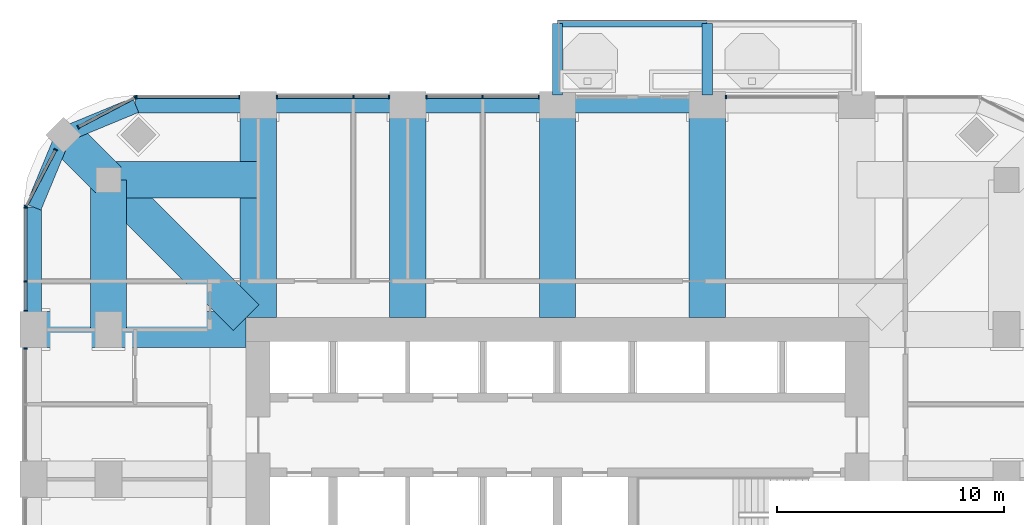
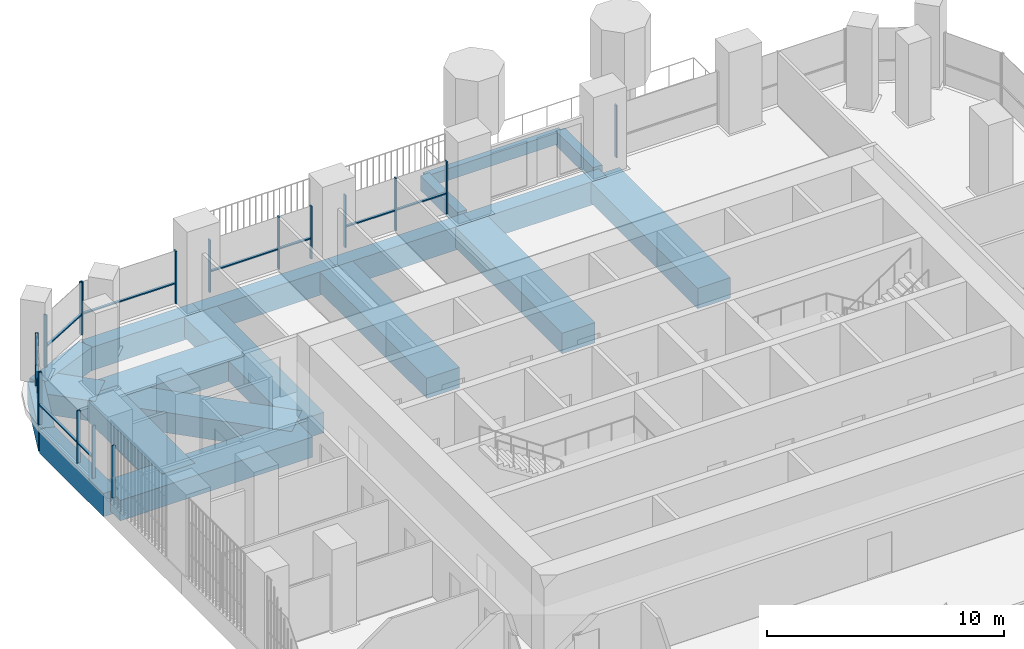
# One storey, part 6 of 19: 26 members, 19 beams, 8 elements without a shape of their own.
"""IFC4 building model written with IfcOpenShell, lengths in metres."""

from ifc_helpers import new_model, si_unit, direction, frame, origin, origin_2d, place, context, subcontext, project, spatial, rectangle, extrude, material, material_profile, profile_set, type_object, element, aggregate, save


model = new_model("IFC4")

# Units and contexts
model_context = context("Model", 3, precision=1e-05, world=origin(), true_north=direction((0.0, 1.0)))
body_context = subcontext(model_context, "Body", "Model", "MODEL_VIEW")
ifc_project = project(units=[si_unit("LENGTHUNIT", "METRE"), si_unit("AREAUNIT", "SQUARE_METRE"), si_unit("VOLUMEUNIT", "CUBIC_METRE"), si_unit("PLANEANGLEUNIT", "RADIAN"), si_unit("MASSUNIT", "GRAM", prefix="KILO")], contexts=[model_context])

# Site, building, storey
site_placement = place(None, origin())
site = spatial("IfcSite", under=ifc_project, at=site_placement, CompositionType="ELEMENT")
building_placement = place(site_placement, origin())
building = spatial("IfcBuilding", under=site, at=building_placement, Name="Cobogo Forest Laboratory Tower", CompositionType="ELEMENT")
storey_placement = place(building_placement, frame((0.0, 0.0, 206.10009765625)))
storey = spatial("IfcBuildingStorey", under=building, at=storey_placement, Name="L47", CompositionType="ELEMENT", Elevation=206.10009765625)

# Beams
ifc_material_1 = material(Name="Concrete HA-40 (C40/50)", Category="concrete")
ifc_material_profile_1 = material_profile(ifc_material_1, rectangle(XDim=0.449951171875, YDim=0.75, at=origin_2d()), Name="RC 450x750")
ifc_profile_set_1 = profile_set([ifc_material_profile_1], Name="Concrete HA-40 (C40/50)")
beam_type_1 = type_object("IfcBeamType", Name="Balcony cantilever beam 450x750", PredefinedType="BEAM", material=ifc_profile_set_1)
for number, where, z_axis, x_axis, name in (
    (1, (26.39990234375, 43.35009765625, -0.625), (0.0, 1.0, 0.0), (-1.0, 0.0, 0.0), "CB1 BAL-N1-C1 L47"),
    (2, (33.0, 43.35009765625, -0.625), (0.0, 1.0, 0.0), (-1.0, 0.0, 0.0), "CB1 BAL-N1-C2 L47"),
):
    element("IfcBeam", number, at=place(storey_placement, frame(where, z_axis=z_axis, x_axis=x_axis)), inside=storey, type_object=beam_type_1, Name=name, PredefinedType="BEAM", context=body_context, shape_type="SweptSolid", body=[
        extrude(rectangle(XDim=0.449951171875, YDim=0.75, at=origin_2d()), origin(), (0.0, 0.0, 1.0), 3.14990234375),
    ])
ifc_material_profile_2 = material_profile(ifc_material_1, rectangle(XDim=0.300048828125, YDim=0.60009765625, at=origin_2d()), Name="RC 300x600")
ifc_profile_set_2 = profile_set([ifc_material_profile_2], Name="Concrete HA-40 (C40/50)")
beam_type_2 = type_object("IfcBeamType", Name="Balcony edge beam 300x600", PredefinedType="BEAM", material=ifc_profile_set_2)
beam_1_placement = place(storey_placement, frame((26.39990234375, 46.5, -0.550048828125), z_axis=(1.0, 0.0, 0.0), x_axis=(0.0, 1.0, 0.0)))
element("IfcBeam", 3, at=beam_1_placement, inside=storey, type_object=beam_type_2, Name="BB1 BAL-N1-T1 L47", PredefinedType="BEAM", context=body_context, shape_type="SweptSolid", body=[
    extrude(rectangle(XDim=0.300048828125, YDim=0.60009765625, at=origin_2d()), origin(), (0.0, 0.0, 1.0), 6.60009765625),
])
ifc_material_2 = material(Name="Concrete HA-50 (C50/60)", Category="concrete")
ifc_material_profile_3 = material_profile(ifc_material_2, rectangle(XDim=1.60009765625, YDim=1.050048828125, at=origin_2d()), Name="RC 1600x1050")
ifc_profile_set_3 = profile_set([ifc_material_profile_3], Name="Concrete HA-50 (C50/60)")
beam_type_3 = type_object("IfcBeamType", Name="Laboratory floor wide beam 1600x1050", PredefinedType="BEAM", material=ifc_profile_set_3)
for number, where, z_axis, x_axis, name in (
    (4, (13.199951171875, 33.52490234375, -0.8251953125), (0.0, 1.0, 0.0), (-1.0, 0.0, 0.0), "RB8 R-3-N L47"),
    (5, (19.800048828125, 33.52490234375, -0.8251953125), (0.0, 1.0, 0.0), (-1.0, 0.0, 0.0), "RB8 R-4-N L47"),
    (6, (26.39990234375, 33.52490234375, -0.8251953125), (0.0, 1.0, 0.0), (-1.0, 0.0, 0.0), "RB8 R-5-N L47"),
    (7, (33.0, 33.52490234375, -0.8251953125), (0.0, 1.0, 0.0), (-1.0, 0.0, 0.0), "RB8 R-6-N L47"),
    (8, (12.675048828125, 33.0, -0.8251953125), (-1.0, 0.0, 0.0), (0.0, -1.0, 0.0), "RB8 R-F-W L47"),
):
    element("IfcBeam", number, at=place(storey_placement, frame(where, z_axis=z_axis, x_axis=x_axis)), inside=storey, type_object=beam_type_3, Name=name, PredefinedType="BEAM", context=body_context, shape_type="SweptSolid", body=[
        extrude(rectangle(XDim=1.60009765625, YDim=1.050048828125, at=origin_2d()), origin(), (0.0, 0.0, 1.0), 9.375),
    ])
beam_2_placement = place(storey_placement, frame((6.60009765625, 39.60009765625, -0.8251953125), z_axis=(0.0, -1.0, 0.0), x_axis=(1.0, 0.0, 0.0)))
element("IfcBeam", 9, at=beam_2_placement, inside=storey, type_object=beam_type_3, Name="RB8 G-NW-XC L47", PredefinedType="BEAM", context=body_context, shape_type="SweptSolid", body=[
    extrude(rectangle(XDim=1.60009765625, YDim=1.050048828125, at=origin_2d()), origin(), (0.0, 0.0, 1.0), 6.60009765625),
])
beam_3_placement = place(storey_placement, frame((6.60009765625, 39.60009765625, -0.8251953125), z_axis=(1.0, 0.0, 0.0), x_axis=(0.0, 1.0, 0.0)))
element("IfcBeam", 10, at=beam_3_placement, inside=storey, type_object=beam_type_3, Name="RB8 G-NW-YC L47", PredefinedType="BEAM", context=body_context, shape_type="SweptSolid", body=[
    extrude(rectangle(XDim=1.60009765625, YDim=1.050048828125, at=origin_2d()), origin(), (0.0, 0.0, 1.0), 6.599853515625),
])
beam_4_placement = place(storey_placement, frame((4.617919921875, 41.58203125, -0.8251953125), z_axis=(0.707150328948, -0.707063230743, 0.0), x_axis=(0.707063230743, 0.707150328948, 0.0)))
element("IfcBeam", 11, at=beam_4_placement, inside=storey, type_object=beam_type_3, Name="RB8 G-NW-D1 L47", PredefinedType="BEAM", context=body_context, shape_type="SweptSolid", body=[
    extrude(rectangle(XDim=1.60009765625, YDim=1.050048828125, at=origin_2d()), origin(), (0.0, 0.0, 1.0), 2.802978515625),
])
beam_5_placement = place(storey_placement, frame((6.60009765625, 39.60009765625, -0.8251953125), z_axis=(0.707092572697, -0.70712098939, 0.0), x_axis=(0.70712098939, 0.707092572697, 0.0)))
element("IfcBeam", 12, at=beam_5_placement, inside=storey, type_object=beam_type_3, Name="RB8 G-NW-D2 L47", PredefinedType="BEAM", context=body_context, shape_type="SweptSolid", body=[
    extrude(rectangle(XDim=1.60009765625, YDim=1.050048828125, at=origin_2d()), origin(), (0.0, 0.0, 1.0), 8.591552734375),
])

# Curtain wall, member
ifc_material_3 = material(Name="Aluminium curtain wall", Category="aluminium")
curtain_wall_type = type_object("IfcCurtainWallType", Name="CW-2 unitised curtain wall, solar control glazing, laboratory floors zones C and D", PredefinedType="USERDEFINED", material=ifc_material_3)
curtain_wall_1_placement = place(storey_placement, origin())
curtain_wall_1 = element("IfcCurtainWall", 13, at=curtain_wall_1_placement, inside=storey, type_object=curtain_wall_type, Name="Curtain wall 17 L47", ObjectType="UNITISED CURTAIN WALL", PredefinedType="USERDEFINED")
ifc_material_4 = material(Name="Aluminium mullion", Category="aluminium")
ifc_material_profile_4 = material_profile(ifc_material_4, rectangle(XDim=0.06005859375, YDim=0.159912109375, at=origin_2d()), Name="AL 60x160")
ifc_profile_set_4 = profile_set([ifc_material_profile_4], Name="Aluminium mullion")
member_type_1 = type_object("IfcMemberType", Name="MU-1 aluminium mullion 60x160", PredefinedType="MULLION", material=ifc_profile_set_4)
member_1_placement = place(storey_placement, frame((33.830078125, 43.25, 0.0), z_axis=(0.0, 0.0, 1.0), x_axis=(-1.0, 0.0, 0.0)))
member_1 = element("IfcMember", 14, at=member_1_placement, type_object=member_type_1, Name="CW-2 mullion 2", PredefinedType="MULLION", context=body_context, shape_type="SweptSolid", body=[
    extrude(rectangle(XDim=0.06005859375, YDim=0.159912109375, at=origin_2d()), origin(), (0.0, 0.0, 1.0), 2.699951171875),
])
aggregate(curtain_wall_1, [member_1])

# Curtain wall, members
curtain_wall_2_placement = place(storey_placement, origin())
curtain_wall_2 = element("IfcCurtainWall", 15, at=curtain_wall_2_placement, inside=storey, type_object=curtain_wall_type, Name="Curtain wall 19 L47", ObjectType="UNITISED CURTAIN WALL", PredefinedType="USERDEFINED")
member_2_placement = place(storey_placement, frame((25.570068359375, 43.25, 0.0), z_axis=(0.0, 0.0, 1.0), x_axis=(-1.0, 0.0, 0.0)))
member_2 = element("IfcMember", 16, at=member_2_placement, type_object=member_type_1, Name="CW-2 mullion 1", PredefinedType="MULLION", context=body_context, shape_type="SweptSolid", body=[
    extrude(rectangle(XDim=0.06005859375, YDim=0.159912109375, at=origin_2d()), origin(), (0.0, 0.0, 1.0), 2.699951171875),
])
member_3_placement = place(storey_placement, frame((23.10009765625, 43.25, 0.0), z_axis=(0.0, 0.0, 1.0), x_axis=(-1.0, 0.0, 0.0)))
member_3 = element("IfcMember", 17, at=member_3_placement, type_object=member_type_1, Name="CW-2 mullion 2", PredefinedType="MULLION", context=body_context, shape_type="SweptSolid", body=[
    extrude(rectangle(XDim=0.06005859375, YDim=0.159912109375, at=origin_2d()), origin(), (0.0, 0.0, 1.0), 2.699951171875),
])
member_4_placement = place(storey_placement, frame((20.6298828125, 43.25, 0.0), z_axis=(0.0, 0.0, 1.0), x_axis=(-1.0, 0.0, 0.0)))
member_4 = element("IfcMember", 18, at=member_4_placement, type_object=member_type_1, Name="CW-2 mullion 3", PredefinedType="MULLION", context=body_context, shape_type="SweptSolid", body=[
    extrude(rectangle(XDim=0.06005859375, YDim=0.159912109375, at=origin_2d()), origin(), (0.0, 0.0, 1.0), 2.699951171875),
])

curtain_wall_3_placement = place(storey_placement, origin())
curtain_wall_3 = element("IfcCurtainWall", 19, at=curtain_wall_3_placement, inside=storey, type_object=curtain_wall_type, Name="Curtain wall 20 L47", ObjectType="UNITISED CURTAIN WALL", PredefinedType="USERDEFINED")
member_5_placement = place(storey_placement, frame((18.969970703125, 43.25, 0.0), z_axis=(0.0, 0.0, 1.0), x_axis=(-1.0, 0.0, 0.0)))
member_5 = element("IfcMember", 20, at=member_5_placement, type_object=member_type_1, Name="CW-2 mullion 1", PredefinedType="MULLION", context=body_context, shape_type="SweptSolid", body=[
    extrude(rectangle(XDim=0.06005859375, YDim=0.159912109375, at=origin_2d()), origin(), (0.0, 0.0, 1.0), 2.699951171875),
])
member_6_placement = place(storey_placement, frame((17.39990234375, 43.25, 0.0), z_axis=(0.0, 0.0, 1.0), x_axis=(-1.0, 0.0, 0.0)))
member_6 = element("IfcMember", 21, at=member_6_placement, type_object=member_type_1, Name="CW-2 mullion 2", PredefinedType="MULLION", context=body_context, shape_type="SweptSolid", body=[
    extrude(rectangle(XDim=0.06005859375, YDim=0.159912109375, at=origin_2d()), origin(), (0.0, 0.0, 1.0), 2.699951171875),
])
member_7_placement = place(storey_placement, frame((14.030029296875, 43.25, 0.0), z_axis=(0.0, 0.0, 1.0), x_axis=(-1.0, 0.0, 0.0)))
member_7 = element("IfcMember", 22, at=member_7_placement, type_object=member_type_1, Name="CW-2 mullion 3", PredefinedType="MULLION", context=body_context, shape_type="SweptSolid", body=[
    extrude(rectangle(XDim=0.06005859375, YDim=0.159912109375, at=origin_2d()), origin(), (0.0, 0.0, 1.0), 2.699951171875),
])

curtain_wall_4_placement = place(storey_placement, origin())
curtain_wall_4 = element("IfcCurtainWall", 23, at=curtain_wall_4_placement, inside=storey, type_object=curtain_wall_type, Name="Curtain wall 21 L47", ObjectType="UNITISED CURTAIN WALL", PredefinedType="USERDEFINED")
member_8_placement = place(storey_placement, frame((12.3701171875, 43.25, 0.0), z_axis=(0.0, 0.0, 1.0), x_axis=(-1.0, 0.0, 0.0)))
member_8 = element("IfcMember", 24, at=member_8_placement, type_object=member_type_1, Name="CW-2 mullion 1", PredefinedType="MULLION", context=body_context, shape_type="SweptSolid", body=[
    extrude(rectangle(XDim=0.06005859375, YDim=0.159912109375, at=origin_2d()), origin(), (0.0, 0.0, 1.0), 2.699951171875),
])
member_9_placement = place(storey_placement, frame((7.830078125, 43.25, 0.0), z_axis=(0.0, 0.0, 1.0), x_axis=(-1.0, 0.0, 0.0)))
member_9 = element("IfcMember", 25, at=member_9_placement, type_object=member_type_1, Name="CW-2 mullion 2", PredefinedType="MULLION", context=body_context, shape_type="SweptSolid", body=[
    extrude(rectangle(XDim=0.06005859375, YDim=0.159912109375, at=origin_2d()), origin(), (0.0, 0.0, 1.0), 2.699951171875),
])

curtain_wall_5_placement = place(storey_placement, origin())
curtain_wall_5 = element("IfcCurtainWall", 26, at=curtain_wall_5_placement, inside=storey, type_object=curtain_wall_type, Name="Curtain wall 22 L47", ObjectType="UNITISED CURTAIN WALL", PredefinedType="USERDEFINED")
member_10_placement = place(storey_placement, frame((7.7734375, 43.236083984375, 0.0), z_axis=(0.0, 0.0, 1.0), x_axis=(-0.885686484356, -0.464283804832, 0.0)))
member_10 = element("IfcMember", 27, at=member_10_placement, type_object=member_type_1, Name="CW-2 mullion 1", PredefinedType="MULLION", context=body_context, shape_type="SweptSolid", body=[
    extrude(rectangle(XDim=0.06005859375, YDim=0.159912109375, at=origin_2d()), origin(), (0.0, 0.0, 1.0), 2.699951171875),
])
member_11_placement = place(storey_placement, frame((5.275634765625, 41.9267578125, 0.0), z_axis=(0.0, 0.0, 1.0), x_axis=(-0.885686484356, -0.464283804832, 0.0)))
member_11 = element("IfcMember", 28, at=member_11_placement, type_object=member_type_1, Name="CW-2 mullion 2", PredefinedType="MULLION", context=body_context, shape_type="SweptSolid", body=[
    extrude(rectangle(XDim=0.06005859375, YDim=0.159912109375, at=origin_2d()), origin(), (0.0, 0.0, 1.0), 2.699951171875),
])

curtain_wall_6_placement = place(storey_placement, origin())
curtain_wall_6 = element("IfcCurtainWall", 29, at=curtain_wall_6_placement, inside=storey, type_object=curtain_wall_type, Name="Curtain wall 23 L47", ObjectType="UNITISED CURTAIN WALL", PredefinedType="USERDEFINED")
member_12_placement = place(storey_placement, frame((4.2734375, 40.924560546875, 0.0), z_axis=(0.0, 0.0, 1.0), x_axis=(-0.464283804832, -0.885686484356, 0.0)))
member_12 = element("IfcMember", 30, at=member_12_placement, type_object=member_type_1, Name="CW-2 mullion 1", PredefinedType="MULLION", context=body_context, shape_type="SweptSolid", body=[
    extrude(rectangle(XDim=0.06005859375, YDim=0.159912109375, at=origin_2d()), origin(), (0.0, 0.0, 1.0), 2.699951171875),
])
member_13_placement = place(storey_placement, frame((2.9638671875, 38.426513671875, 0.0), z_axis=(0.0, 0.0, 1.0), x_axis=(-0.464283804832, -0.885686484356, 0.0)))
member_13 = element("IfcMember", 31, at=member_13_placement, type_object=member_type_1, Name="CW-2 mullion 2", PredefinedType="MULLION", context=body_context, shape_type="SweptSolid", body=[
    extrude(rectangle(XDim=0.06005859375, YDim=0.159912109375, at=origin_2d()), origin(), (0.0, 0.0, 1.0), 2.699951171875),
])

curtain_wall_7_placement = place(storey_placement, origin())
curtain_wall_7 = element("IfcCurtainWall", 32, at=curtain_wall_7_placement, inside=storey, type_object=curtain_wall_type, Name="Curtain wall 24 L47", ObjectType="UNITISED CURTAIN WALL", PredefinedType="USERDEFINED")
member_14_placement = place(storey_placement, frame((2.949951171875, 38.3701171875, 0.0), z_axis=(0.0, 0.0, 1.0), x_axis=(0.0, -1.0, 0.0)))
member_14 = element("IfcMember", 33, at=member_14_placement, type_object=member_type_1, Name="CW-2 mullion 1", PredefinedType="MULLION", context=body_context, shape_type="SweptSolid", body=[
    extrude(rectangle(XDim=0.06005859375, YDim=0.159912109375, at=origin_2d()), origin(), (0.0, 0.0, 1.0), 2.699951171875),
])
member_15_placement = place(storey_placement, frame((2.949951171875, 35.125, 0.0), z_axis=(0.0, 0.0, 1.0), x_axis=(0.0, -1.0, 0.0)))
member_15 = element("IfcMember", 34, at=member_15_placement, type_object=member_type_1, Name="CW-2 mullion 2", PredefinedType="MULLION", context=body_context, shape_type="SweptSolid", body=[
    extrude(rectangle(XDim=0.06005859375, YDim=0.159912109375, at=origin_2d()), origin(), (0.0, 0.0, 1.0), 2.699951171875),
])
member_16_placement = place(storey_placement, frame((2.949951171875, 33.830078125, 0.0), z_axis=(0.0, 0.0, 1.0), x_axis=(0.0, -1.0, 0.0)))
member_16 = element("IfcMember", 35, at=member_16_placement, type_object=member_type_1, Name="CW-2 mullion 3", PredefinedType="MULLION", context=body_context, shape_type="SweptSolid", body=[
    extrude(rectangle(XDim=0.06005859375, YDim=0.159912109375, at=origin_2d()), origin(), (0.0, 0.0, 1.0), 2.699951171875),
])

# Curtain wall, member
curtain_wall_8_placement = place(storey_placement, origin())
curtain_wall_8 = element("IfcCurtainWall", 36, at=curtain_wall_8_placement, inside=storey, type_object=curtain_wall_type, Name="Curtain wall 25 L47", ObjectType="UNITISED CURTAIN WALL", PredefinedType="USERDEFINED")
member_17_placement = place(storey_placement, frame((2.949951171875, 32.169921875, 0.0), z_axis=(0.0, 0.0, 1.0), x_axis=(0.0, -1.0, 0.0)))
member_17 = element("IfcMember", 37, at=member_17_placement, type_object=member_type_1, Name="CW-2 mullion 1", PredefinedType="MULLION", context=body_context, shape_type="SweptSolid", body=[
    extrude(rectangle(XDim=0.06005859375, YDim=0.159912109375, at=origin_2d()), origin(), (0.0, 0.0, 1.0), 2.699951171875),
])
aggregate(curtain_wall_8, [member_17])

# Beams
ifc_material_profile_5 = material_profile(ifc_material_1, rectangle(XDim=0.699951171875, YDim=1.199951171875, at=origin_2d()), Name="RC 700x1200")
ifc_profile_set_5 = profile_set([ifc_material_profile_5], Name="Concrete HA-40 (C40/50)")
beam_type_4 = type_object("IfcBeamType", Name="Perimeter edge beam 700x1200", PredefinedType="BEAM", material=ifc_profile_set_5)
beam_6_placement = place(storey_placement, frame((13.199951171875, 42.89990234375, -0.900146484375), z_axis=(1.0, 0.0, 0.0), x_axis=(0.0, 1.0, 0.0)))
element("IfcBeam", 38, at=beam_6_placement, inside=storey, type_object=beam_type_4, Name="EB1 E-N1 L47", PredefinedType="BEAM", context=body_context, shape_type="SweptSolid", body=[
    extrude(rectangle(XDim=0.699951171875, YDim=1.199951171875, at=origin_2d()), origin(), (0.0, 0.0, 1.0), 6.60009765625),
])
beam_7_placement = place(storey_placement, frame((19.800048828125, 42.89990234375, -0.900146484375), z_axis=(1.0, 0.0, 0.0), x_axis=(0.0, 1.0, 0.0)))
element("IfcBeam", 39, at=beam_7_placement, inside=storey, type_object=beam_type_4, Name="EB1 E-N2 L47", PredefinedType="BEAM", context=body_context, shape_type="SweptSolid", body=[
    extrude(rectangle(XDim=0.699951171875, YDim=1.199951171875, at=origin_2d()), origin(), (0.0, 0.0, 1.0), 6.599853515625),
])
beam_8_placement = place(storey_placement, frame((26.39990234375, 42.89990234375, -0.900146484375), z_axis=(1.0, 0.0, 0.0), x_axis=(0.0, 1.0, 0.0)))
element("IfcBeam", 40, at=beam_8_placement, inside=storey, type_object=beam_type_4, Name="EB1 E-N3 L47", PredefinedType="BEAM", context=body_context, shape_type="SweptSolid", body=[
    extrude(rectangle(XDim=0.699951171875, YDim=1.199951171875, at=origin_2d()), origin(), (0.0, 0.0, 1.0), 6.60009765625),
])
beam_9_placement = place(storey_placement, frame((13.199951171875, 42.89990234375, -0.900146484375), z_axis=(-1.0, 0.0, 0.0), x_axis=(0.0, -1.0, 0.0)))
element("IfcBeam", 41, at=beam_9_placement, inside=storey, type_object=beam_type_4, Name="EB1 E-NWN1 L47", PredefinedType="BEAM", context=body_context, shape_type="SweptSolid", body=[
    extrude(rectangle(XDim=0.699951171875, YDim=1.199951171875, at=origin_2d()), origin(), (0.0, 0.0, 1.0), 5.39990234375),
])
beam_10_placement = place(storey_placement, frame((7.800048828125, 42.89990234375, -0.900146484375), z_axis=(-0.923901072997, -0.382631424892, 0.0), x_axis=(0.382631424892, -0.923901072997, 0.0)))
element("IfcBeam", 42, at=beam_10_placement, inside=storey, type_object=beam_type_4, Name="EB1 E-NWN2 L47", PredefinedType="BEAM", context=body_context, shape_type="SweptSolid", body=[
    extrude(rectangle(XDim=0.699951171875, YDim=1.199951171875, at=origin_2d()), origin(), (0.0, 0.0, 1.0), 3.4443359375),
])
beam_11_placement = place(storey_placement, frame((3.300048828125, 33.0, -0.900146484375), z_axis=(0.0, 1.0, 0.0), x_axis=(-1.0, 0.0, 0.0)))
element("IfcBeam", 43, at=beam_11_placement, inside=storey, type_object=beam_type_4, Name="EB1 E-NWW1 L47", PredefinedType="BEAM", context=body_context, shape_type="SweptSolid", body=[
    extrude(rectangle(XDim=0.699951171875, YDim=1.199951171875, at=origin_2d()), origin(), (0.0, 0.0, 1.0), 5.39990234375),
])
beam_12_placement = place(storey_placement, frame((3.300048828125, 38.39990234375, -0.900146484375), z_axis=(0.382631424892, 0.923901072997, 0.0), x_axis=(-0.923901072997, 0.382631424892, 0.0)))
element("IfcBeam", 44, at=beam_12_placement, inside=storey, type_object=beam_type_4, Name="EB1 E-NWW2 L47", PredefinedType="BEAM", context=body_context, shape_type="SweptSolid", body=[
    extrude(rectangle(XDim=0.699951171875, YDim=1.199951171875, at=origin_2d()), origin(), (0.0, 0.0, 1.0), 3.4443359375),
])

# Member
ifc_material_5 = material(Name="Aluminium transom", Category="aluminium")
ifc_material_profile_6 = material_profile(ifc_material_5, rectangle(XDim=0.1201171875, YDim=0.06005859375, at=origin_2d()), Name="AL 60x120")
ifc_profile_set_6 = profile_set([ifc_material_profile_6], Name="Aluminium transom")
member_type_2 = type_object("IfcMemberType", Name="TR-1 aluminium transom 60x120", PredefinedType="USERDEFINED", material=ifc_profile_set_6)
member_18_placement = place(storey_placement, frame((25.5400390625, 43.25, 1.0498046875), z_axis=(-1.0, 0.0, 0.0), x_axis=(0.0, -1.0, 0.0)))
member_18 = element("IfcMember", 45, at=member_18_placement, type_object=member_type_2, Name="CW-2 transom 1.1", ObjectType="TRANSOM", PredefinedType="USERDEFINED", context=body_context, shape_type="SweptSolid", body=[
    extrude(rectangle(XDim=0.1201171875, YDim=0.06005859375, at=origin_2d()), origin(), (0.0, 0.0, 1.0), 2.41015625),
])

member_19_placement = place(storey_placement, frame((23.070068359375, 43.25, 1.0498046875), z_axis=(-1.0, 0.0, 0.0), x_axis=(0.0, -1.0, 0.0)))
member_19 = element("IfcMember", 46, at=member_19_placement, type_object=member_type_2, Name="CW-2 transom 2.1", ObjectType="TRANSOM", PredefinedType="USERDEFINED", context=body_context, shape_type="SweptSolid", body=[
    extrude(rectangle(XDim=0.1201171875, YDim=0.06005859375, at=origin_2d()), origin(), (0.0, 0.0, 1.0), 2.41015625),
])

aggregate(curtain_wall_2, [member_2, member_3, member_4, member_18, member_19])

member_20_placement = place(storey_placement, frame((18.93994140625, 43.25, 1.0498046875), z_axis=(-1.0, 0.0, 0.0), x_axis=(0.0, -1.0, 0.0)))
member_20 = element("IfcMember", 47, at=member_20_placement, type_object=member_type_2, Name="CW-2 transom 1.1", ObjectType="TRANSOM", PredefinedType="USERDEFINED", context=body_context, shape_type="SweptSolid", body=[
    extrude(rectangle(XDim=0.1201171875, YDim=0.06005859375, at=origin_2d()), origin(), (0.0, 0.0, 1.0), 1.510009765625),
])

member_21_placement = place(storey_placement, frame((17.3701171875, 43.25, 1.0498046875), z_axis=(-1.0, 0.0, 0.0), x_axis=(0.0, -1.0, 0.0)))
member_21 = element("IfcMember", 48, at=member_21_placement, type_object=member_type_2, Name="CW-2 transom 2.1", ObjectType="TRANSOM", PredefinedType="USERDEFINED", context=body_context, shape_type="SweptSolid", body=[
    extrude(rectangle(XDim=0.1201171875, YDim=0.06005859375, at=origin_2d()), origin(), (0.0, 0.0, 1.0), 3.31005859375),
])

aggregate(curtain_wall_3, [member_5, member_6, member_7, member_20, member_21])

member_22_placement = place(storey_placement, frame((12.340087890625, 43.25, 1.0498046875), z_axis=(-1.0, 0.0, 0.0), x_axis=(0.0, -1.0, 0.0)))
member_22 = element("IfcMember", 49, at=member_22_placement, type_object=member_type_2, Name="CW-2 transom 1.1", ObjectType="TRANSOM", PredefinedType="USERDEFINED", context=body_context, shape_type="SweptSolid", body=[
    extrude(rectangle(XDim=0.1201171875, YDim=0.06005859375, at=origin_2d()), origin(), (0.0, 0.0, 1.0), 4.47998046875),
])

aggregate(curtain_wall_4, [member_8, member_9, member_22])

member_23_placement = place(storey_placement, frame((7.746826171875, 43.22216796875, 1.0498046875), z_axis=(-0.88570166389, -0.464254846591, 0.0), x_axis=(0.464254846591, -0.88570166389, 0.0)))
member_23 = element("IfcMember", 50, at=member_23_placement, type_object=member_type_2, Name="CW-2 transom 1.1", ObjectType="TRANSOM", PredefinedType="USERDEFINED", context=body_context, shape_type="SweptSolid", body=[
    extrude(rectangle(XDim=0.1201171875, YDim=0.06005859375, at=origin_2d()), origin(), (0.0, 0.0, 1.0), 2.76025390625),
])

aggregate(curtain_wall_5, [member_10, member_11, member_23])

member_24_placement = place(storey_placement, frame((4.259521484375, 40.89794921875, 1.0498046875), z_axis=(-0.464324225592, -0.885665294301, 0.0), x_axis=(0.885665294301, -0.464324225592, 0.0)))
member_24 = element("IfcMember", 51, at=member_24_placement, type_object=member_type_2, Name="CW-2 transom 1.1", ObjectType="TRANSOM", PredefinedType="USERDEFINED", context=body_context, shape_type="SweptSolid", body=[
    extrude(rectangle(XDim=0.1201171875, YDim=0.06005859375, at=origin_2d()), origin(), (0.0, 0.0, 1.0), 2.760498046875),
])

aggregate(curtain_wall_6, [member_12, member_13, member_24])

member_25_placement = place(storey_placement, frame((2.949951171875, 38.340087890625, 1.0498046875), z_axis=(0.0, -1.0, 0.0), x_axis=(1.0, 0.0, 0.0)))
member_25 = element("IfcMember", 52, at=member_25_placement, type_object=member_type_2, Name="CW-2 transom 1.1", ObjectType="TRANSOM", PredefinedType="USERDEFINED", context=body_context, shape_type="SweptSolid", body=[
    extrude(rectangle(XDim=0.1201171875, YDim=0.06005859375, at=origin_2d()), origin(), (0.0, 0.0, 1.0), 3.18505859375),
])

member_26_placement = place(storey_placement, frame((2.949951171875, 35.094970703125, 1.0498046875), z_axis=(0.0, -1.0, 0.0), x_axis=(1.0, 0.0, 0.0)))
member_26 = element("IfcMember", 53, at=member_26_placement, type_object=member_type_2, Name="CW-2 transom 2.1", ObjectType="TRANSOM", PredefinedType="USERDEFINED", context=body_context, shape_type="SweptSolid", body=[
    extrude(rectangle(XDim=0.1201171875, YDim=0.06005859375, at=origin_2d()), origin(), (0.0, 0.0, 1.0), 1.23486328125),
])

aggregate(curtain_wall_7, [member_14, member_15, member_16, member_25, member_26])

save(model, "model.ifc")
